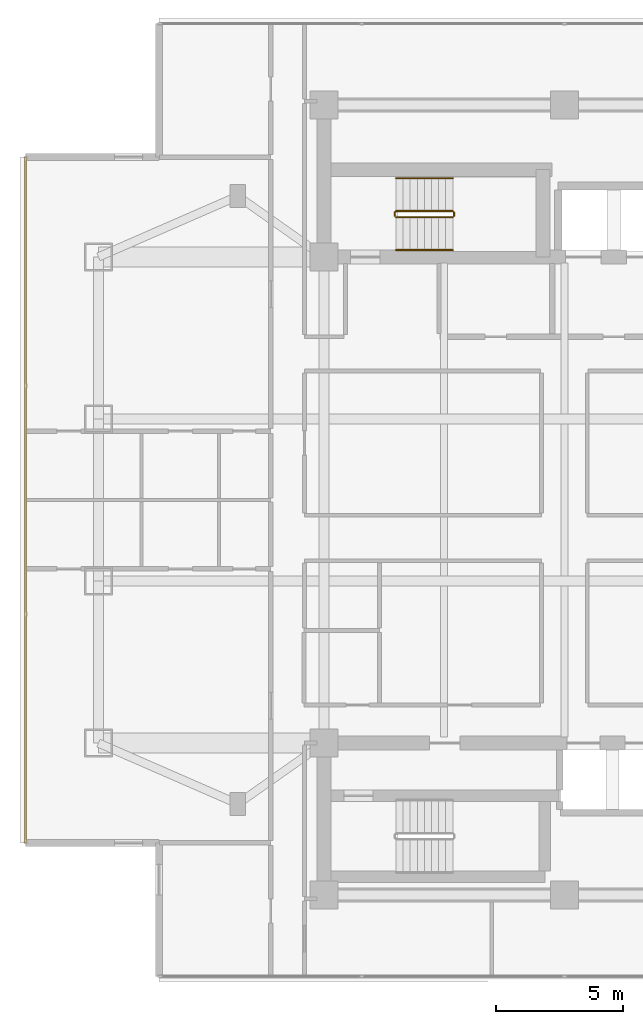
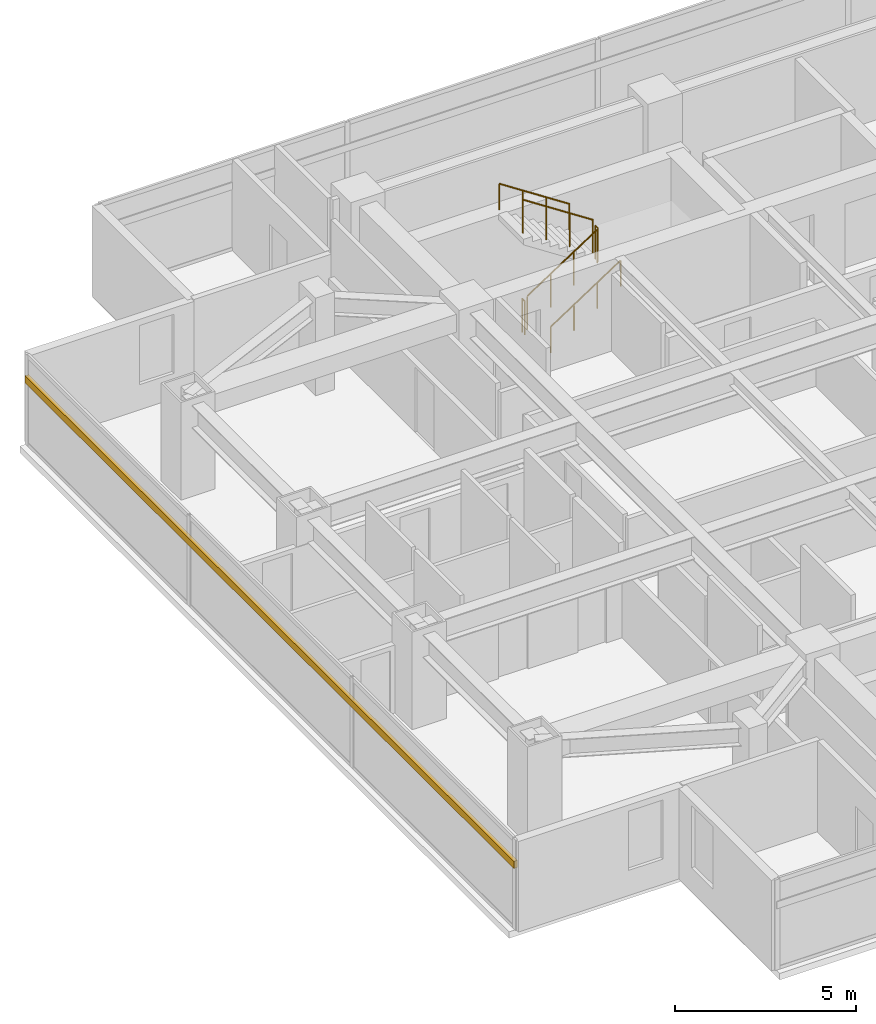
# One storey, part 20 of 24: 6 railings, 1 shading device.
"""IFC4 building model written with IfcOpenShell, lengths in metres."""

from ifc_helpers import new_model, si_unit, direction, frame, origin, origin_2d, place, context, subcontext, project, spatial, rectangle, circle, extrude, material, material_profile, profile_set, type_object, element, save


model = new_model("IFC4")

# Units and contexts
model_context = context("Model", 3, precision=1e-05, world=origin(), true_north=direction((0.0, 1.0)))
body_context = subcontext(model_context, "Body", "Model", "MODEL_VIEW")
ifc_project = project(units=[si_unit("LENGTHUNIT", "METRE"), si_unit("AREAUNIT", "SQUARE_METRE"), si_unit("VOLUMEUNIT", "CUBIC_METRE"), si_unit("PLANEANGLEUNIT", "RADIAN"), si_unit("MASSUNIT", "GRAM", prefix="KILO")], contexts=[model_context])

# Site, building, storey
site_placement = place(None, origin())
site = spatial("IfcSite", under=ifc_project, at=site_placement, CompositionType="ELEMENT")
building_placement = place(site_placement, origin())
building = spatial("IfcBuilding", under=site, at=building_placement, Name="Mirazonda Arch Towers", CompositionType="ELEMENT")
storey_placement = place(building_placement, frame((0.0, 0.0, 134.60009765625)))
storey = spatial("IfcBuildingStorey", under=building, at=storey_placement, Name="L38", CompositionType="ELEMENT", Elevation=134.60009765625)

# Shading device
ifc_material_1 = material(Name="Kiln-Fired Architectural Terracotta", Category="masonry")
ifc_material_profile = material_profile(ifc_material_1, rectangle(XDim=0.1201171875, YDim=0.239990234375, at=origin_2d()), Name="TERRA-BAG-120x240")
ifc_profile_set = profile_set([ifc_material_profile], Name="Kiln-Fired Architectural Terracotta")
shading_device_type = type_object("IfcShadingDeviceType", Name="BAGUETTE-1", PredefinedType="USERDEFINED", material=ifc_profile_set)
shading_device_placement = place(storey_placement, frame((-0.780029296875, 41.5400390625, 2.203125), z_axis=(0.0, -1.0, 0.0), x_axis=(1.0, 0.0, 0.0)))
element("IfcShadingDevice", 1, at=shading_device_placement, inside=storey, type_object=shading_device_type, Name="L38 Glazed Terracotta Sun-Screen Baguette CW-L38-T1-W", ObjectType="BAGUETTE", PredefinedType="USERDEFINED", context=body_context, shape_type="SweptSolid", body=[
    extrude(rectangle(XDim=0.1201171875, YDim=0.239990234375, at=origin_2d()), origin(), (0.0, 0.0, 1.0), 27.080078125),
])

# Railings
ifc_material_2 = material(Name="Architectural Brushed Steel S355", Category="steel")
railing_type_1 = type_object("IfcRailingType", Name="GUARD-STAIR-1120", PredefinedType="GUARDRAIL", material=ifc_material_2)
railing_1_placement = place(storey_placement, frame((13.85009765625, 39.169921875, 0.183349609375)))
element("IfcRailing", 2, at=railing_1_placement, inside=storey, type_object=railing_type_1, Name="L38 ST-T1N stair guard 1", PredefinedType="GUARDRAIL", context=body_context, shape_type="SweptSolid", body=[
    extrude(circle(Radius=0.02392578125, at=origin_2d()), frame((0.0, 0.0, 1.1259765625), z_axis=(0.836636935527, 0.0, 0.547757827979), x_axis=(0.0, 1.0, 0.0)), (0.0, 0.0, 1.0), 2.677490234375),
    extrude(circle(Radius=0.02099609375, at=origin_2d()), origin(), (0.0, 0.0, 1.0), 1.101806640625),
    extrude(circle(Radius=0.02099609375, at=origin_2d()), frame((0.74658203125, 0.0, 0.48876953125)), (0.0, 0.0, 1.0), 1.101806640625),
    extrude(circle(Radius=0.02099609375, at=origin_2d()), frame((1.493408203125, 0.0, 0.977783203125)), (0.0, 0.0, 1.0), 1.101806640625),
    extrude(circle(Radius=0.02099609375, at=origin_2d()), frame((2.239990234375, 0.0, 1.466552734375)), (0.0, 0.0, 1.0), 1.101806640625),
])
railing_2_placement = place(storey_placement, frame((16.139892578125, 39.219970703125, 1.64990234375)))
element("IfcRailing", 3, at=railing_2_placement, inside=storey, type_object=railing_type_1, Name="L38 ST-T1N stair guard 2", PredefinedType="GUARDRAIL", context=body_context, shape_type="SweptSolid", body=[
    extrude(circle(Radius=0.02392578125, at=origin_2d()), frame((0.0, 0.0, 1.1259765625), z_axis=(0.0, 1.0, 0.0), x_axis=(-1.0, 0.0, 0.0)), (0.0, 0.0, 1.0), 0.14013671875),
    extrude(circle(Radius=0.02099609375, at=origin_2d()), origin(), (0.0, 0.0, 1.0), 1.101806640625),
    extrude(circle(Radius=0.02099609375, at=origin_2d()), frame((0.0, 0.14013671875, 0.0)), (0.0, 0.0, 1.0), 1.101806640625),
])
railing_3_placement = place(storey_placement, frame((16.090087890625, 39.409912109375, 1.833251953125)))
element("IfcRailing", 4, at=railing_3_placement, inside=storey, type_object=railing_type_1, Name="L38 ST-T1N stair guard 3", PredefinedType="GUARDRAIL", context=body_context, shape_type="SweptSolid", body=[
    extrude(circle(Radius=0.02392578125, at=origin_2d()), frame((0.0, 0.0, 1.1259765625), z_axis=(-0.836636935527, 0.0, 0.547757827979), x_axis=(0.0, -1.0, 0.0)), (0.0, 0.0, 1.0), 2.677490234375),
    extrude(circle(Radius=0.02099609375, at=origin_2d()), origin(), (0.0, 0.0, 1.0), 1.101806640625),
    extrude(circle(Radius=0.02099609375, at=origin_2d()), frame((-0.74658203125, 0.0, 0.48876953125)), (0.0, 0.0, 1.0), 1.101806640625),
    extrude(circle(Radius=0.02099609375, at=origin_2d()), frame((-1.493408203125, 0.0, 0.977783203125)), (0.0, 0.0, 1.0), 1.101806640625),
    extrude(circle(Radius=0.02099609375, at=origin_2d()), frame((-2.239990234375, 0.0, 1.466552734375)), (0.0, 0.0, 1.0), 1.101806640625),
])
railing_4_placement = place(storey_placement, frame((13.800048828125, 39.219970703125, 0.0)))
element("IfcRailing", 5, at=railing_4_placement, inside=storey, type_object=railing_type_1, Name="L38 ST-T1N stair guard 4", PredefinedType="GUARDRAIL", context=body_context, shape_type="SweptSolid", body=[
    extrude(circle(Radius=0.02392578125, at=origin_2d()), frame((0.0, 0.0, 1.1259765625), z_axis=(0.0, 1.0, 0.0), x_axis=(-1.0, 0.0, 0.0)), (0.0, 0.0, 1.0), 0.14013671875),
    extrude(circle(Radius=0.02099609375, at=origin_2d()), origin(), (0.0, 0.0, 1.0), 1.101806640625),
    extrude(circle(Radius=0.02099609375, at=origin_2d()), frame((0.0, 0.14013671875, 0.0)), (0.0, 0.0, 1.0), 1.101806640625),
])
railing_type_2 = type_object("IfcRailingType", Name="HANDRAIL-915", PredefinedType="HANDRAIL", material=ifc_material_2)
railing_5_placement = place(storey_placement, frame((13.85009765625, 37.8701171875, 0.183349609375)))
element("IfcRailing", 6, at=railing_5_placement, inside=storey, type_object=railing_type_2, Name="L38 ST-T1N stair handrail 1", PredefinedType="HANDRAIL", context=body_context, shape_type="SweptSolid", body=[
    extrude(circle(Radius=0.02392578125, at=origin_2d()), frame((0.0, 0.0, 0.8759765625), z_axis=(0.836636935527, 0.0, 0.547757827979), x_axis=(0.0, 1.0, 0.0)), (0.0, 0.0, 1.0), 2.677490234375),
    extrude(circle(Radius=0.02099609375, at=origin_2d()), origin(), (0.0, 0.0, 1.0), 0.851806640625),
    extrude(circle(Radius=0.02099609375, at=origin_2d()), frame((0.74658203125, 0.0, 0.48876953125)), (0.0, 0.0, 1.0), 0.851806640625),
    extrude(circle(Radius=0.02099609375, at=origin_2d()), frame((1.493408203125, 0.0, 0.977783203125)), (0.0, 0.0, 1.0), 0.851806640625),
    extrude(circle(Radius=0.02099609375, at=origin_2d()), frame((2.239990234375, 0.0, 1.466552734375)), (0.0, 0.0, 1.0), 0.851806640625),
])
railing_6_placement = place(storey_placement, frame((16.090087890625, 40.7099609375, 1.833251953125)))
element("IfcRailing", 7, at=railing_6_placement, inside=storey, type_object=railing_type_2, Name="L38 ST-T1N stair handrail 2", PredefinedType="HANDRAIL", context=body_context, shape_type="SweptSolid", body=[
    extrude(circle(Radius=0.02392578125, at=origin_2d()), frame((0.0, 0.0, 0.8759765625), z_axis=(-0.836636935527, 0.0, 0.547757827979), x_axis=(0.0, -1.0, 0.0)), (0.0, 0.0, 1.0), 2.677490234375),
    extrude(circle(Radius=0.02099609375, at=origin_2d()), origin(), (0.0, 0.0, 1.0), 0.851806640625),
    extrude(circle(Radius=0.02099609375, at=origin_2d()), frame((-0.74658203125, 0.0, 0.48876953125)), (0.0, 0.0, 1.0), 0.851806640625),
    extrude(circle(Radius=0.02099609375, at=origin_2d()), frame((-1.493408203125, 0.0, 0.977783203125)), (0.0, 0.0, 1.0), 0.851806640625),
    extrude(circle(Radius=0.02099609375, at=origin_2d()), frame((-2.239990234375, 0.0, 1.466552734375)), (0.0, 0.0, 1.0), 0.851806640625),
])

save(model, "model.ifc")
